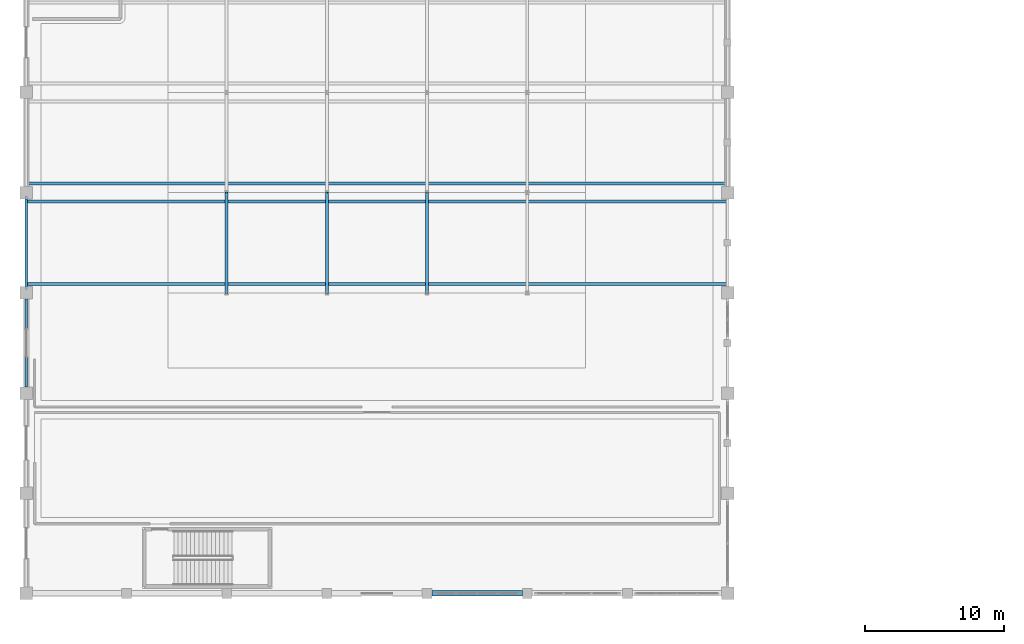
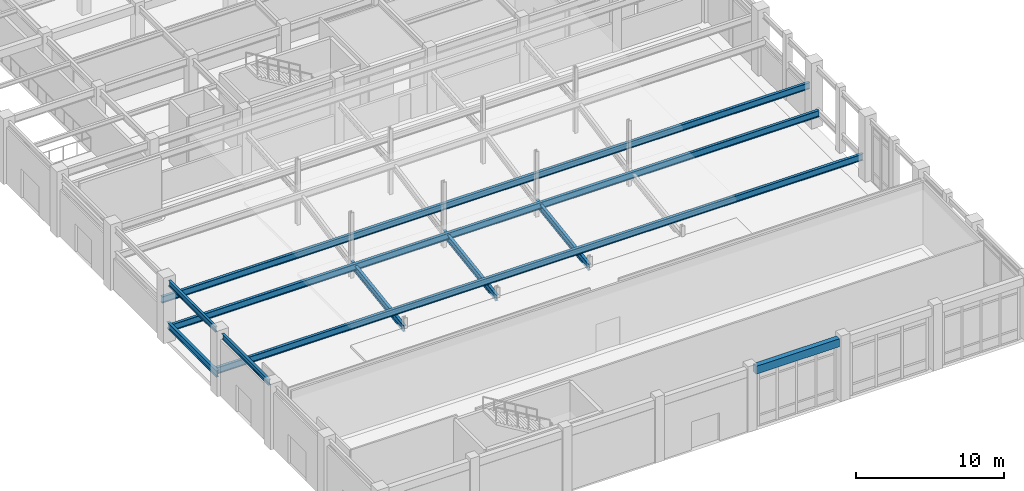
# One storey, part 15 of 102: 10 beams.
"""IFC4 building model written with IfcOpenShell, lengths in metres."""

from ifc_helpers import new_model, si_unit, direction, frame, origin, origin_2d, place, context, subcontext, project, spatial, rectangle, i_section, extrude, material, material_profile, profile_set, type_object, element, save


model = new_model("IFC4")

# Units and contexts
model_context = context("Model", 3, precision=1e-05, world=origin(), true_north=direction((0.0, 1.0)))
body_context = subcontext(model_context, "Body", "Model", "MODEL_VIEW")
ifc_project = project(units=[si_unit("LENGTHUNIT", "METRE"), si_unit("AREAUNIT", "SQUARE_METRE"), si_unit("VOLUMEUNIT", "CUBIC_METRE"), si_unit("PLANEANGLEUNIT", "RADIAN"), si_unit("MASSUNIT", "GRAM", prefix="KILO")], contexts=[model_context])

# Site, building, storey
site_placement = place(None, origin())
site = spatial("IfcSite", under=ifc_project, at=site_placement, CompositionType="ELEMENT")
building_placement = place(site_placement, origin())
building = spatial("IfcBuilding", under=site, at=building_placement, Name="Carrowvane Square Congress Hotel", CompositionType="ELEMENT")
storey_placement = place(building_placement, origin())
storey = spatial("IfcBuildingStorey", under=building, at=storey_placement, Name="L00", CompositionType="ELEMENT", Elevation=0.0)

# Beams
ifc_material_1 = material(Name="Steel S355", Category="steel")
ifc_material_profile_1 = material_profile(ifc_material_1, i_section(OverallWidth=0.19140625, OverallDepth=0.4599609375, WebThickness=0.010009765625, FlangeThickness=0.01611328125, FilletRadius=0.01025390625, at=origin_2d()), Name="UKB 457x191x82")
ifc_profile_set_1 = profile_set([ifc_material_profile_1], Name="Steel S355")
beam_type_1 = type_object("IfcBeamType", Name="BM-ST-UKB457", PredefinedType="SPANDREL", material=ifc_profile_set_1)
for number, where, z_axis, x_axis, name in (
    (1, (11.60009765625, 20.25, 4.8701171875), (0.0, 1.0, 0.0), (-1.0, 0.0, 0.0), "L01 girder 1/C-D"),
    (2, (11.60009765625, 27.449951171875, 4.8701171875), (0.0, 1.0, 0.0), (-1.0, 0.0, 0.0), "L01 girder 1/D-E"),
):
    element("IfcBeam", number, at=place(storey_placement, frame(where, z_axis=z_axis, x_axis=x_axis)), inside=storey, type_object=beam_type_1, Name=name, PredefinedType="SPANDREL", context=body_context, shape_type="SweptSolid", body=[
        extrude(i_section(OverallWidth=0.19140625, OverallDepth=0.4599609375, WebThickness=0.010009765625, FlangeThickness=0.01611328125, FilletRadius=0.01025390625, at=origin_2d()), origin(), (0.0, 0.0, 1.0), 6.300048828125),
    ])
ifc_material_2 = material(Name="Steel S355", Category="steel")
ifc_material_profile_2 = material_profile(ifc_material_2, i_section(OverallWidth=0.2099609375, OverallDepth=0.53662109375, WebThickness=0.0107421875, FlangeThickness=0.017333984375, FilletRadius=0.0126953125, at=origin_2d()), Name="UKB 533x210x101")
ifc_profile_set_2 = profile_set([ifc_material_profile_2], Name="Steel S355")
beam_type_2 = type_object("IfcBeamType", Name="BM-ST-UKB533", PredefinedType="USERDEFINED", material=ifc_profile_set_2)
beam_1_placement = place(storey_placement, frame((11.60009765625, 27.25, 1.33154296875), z_axis=(0.0, 1.0, 0.0), x_axis=(-1.0, 0.0, 0.0)))
element("IfcBeam", 3, at=beam_1_placement, inside=storey, type_object=beam_type_2, Name="L00 seating tier 1 W header girder", ObjectType="GIRDER", PredefinedType="USERDEFINED", context=body_context, shape_type="SweptSolid", body=[
    extrude(i_section(OverallWidth=0.2099609375, OverallDepth=0.53662109375, WebThickness=0.0107421875, FlangeThickness=0.017333984375, FilletRadius=0.0126953125, at=origin_2d()), origin(), (0.0, 0.0, 1.0), 6.699951171875),
])
for number, where, z_axis, x_axis, name in (
    (4, (11.60009765625, 27.64990234375, 1.33154296875), (1.0, 0.0, 0.0), (0.0, 1.0, 0.0), "L00 seating tier 1 bearer girder 1"),
    (5, (11.60009765625, 33.550048828125, 1.33154296875), (1.0, 0.0, 0.0), (0.0, 1.0, 0.0), "L00 seating tier 1 bearer girder 2"),
    (6, (11.60009765625, 34.85009765625, 2.83154296875), (1.0, 0.0, 0.0), (0.0, 1.0, 0.0), "L00 seating tier 2 bearer girder 1"),
):
    element("IfcBeam", number, at=place(storey_placement, frame(where, z_axis=z_axis, x_axis=x_axis)), inside=storey, type_object=beam_type_2, Name=name, ObjectType="GIRDER", PredefinedType="USERDEFINED", context=body_context, shape_type="SweptSolid", body=[
        extrude(i_section(OverallWidth=0.2099609375, OverallDepth=0.53662109375, WebThickness=0.0107421875, FlangeThickness=0.017333984375, FilletRadius=0.0126953125, at=origin_2d()), origin(), (0.0, 0.0, 1.0), 50.39990234375),
    ])
ifc_material_3 = material(Name="Steel S355", Category="steel")
ifc_material_profile_3 = material_profile(ifc_material_3, i_section(OverallWidth=0.2099609375, OverallDepth=0.53662109375, WebThickness=0.0107421875, FlangeThickness=0.017333984375, FilletRadius=0.0126953125, at=origin_2d()), Name="UKB 533x210x101")
ifc_profile_set_3 = profile_set([ifc_material_profile_3], Name="Steel S355")
beam_type_3 = type_object("IfcBeamType", Name="RK-ST-UKB533", PredefinedType="USERDEFINED", material=ifc_profile_set_3)
for number, where, z_axis, x_axis, name in (
    (7, (26.0, 27.0, 0.14990234375), (0.0, 0.989531883018, 0.144314422327), (-1.0, 0.0, 0.0), "L00 Plenary stalls raker beam 1.1"),
    (8, (33.199951171875, 27.0, 0.14990234375), (0.0, 0.989531883018, 0.144314422327), (-1.0, 0.0, 0.0), "L00 Plenary stalls raker beam 2.1"),
    (9, (40.39990234375, 27.0, 0.14990234375), (0.0, 0.989531883018, 0.144314422327), (-1.0, 0.0, 0.0), "L00 Plenary stalls raker beam 3.1"),
):
    element("IfcBeam", number, at=place(storey_placement, frame(where, z_axis=z_axis, x_axis=x_axis)), inside=storey, type_object=beam_type_3, Name=name, ObjectType="RAKER", PredefinedType="USERDEFINED", context=body_context, shape_type="SweptSolid", body=[
        extrude(i_section(OverallWidth=0.2099609375, OverallDepth=0.53662109375, WebThickness=0.0107421875, FlangeThickness=0.017333984375, FilletRadius=0.0126953125, at=origin_2d()), origin(), (0.0, 0.0, 1.0), 7.276123046875),
    ])
ifc_material_4 = material(Name="Concrete C35/45", Category="concrete")
ifc_material_profile_4 = material_profile(ifc_material_4, rectangle(XDim=0.39990234375, YDim=0.64990234375, at=origin_2d()), Name="RC 400x650")
ifc_profile_set_4 = profile_set([ifc_material_profile_4], Name="Concrete C35/45")
beam_type_4 = type_object("IfcBeamType", Name="SP-RC-400x650", PredefinedType="SPANDREL", material=ifc_profile_set_4)
beam_2_placement = place(storey_placement, frame((40.75, 5.39990234375, 4.77490234375), z_axis=(1.0, 0.0, 0.0), x_axis=(0.0, 1.0, 0.0)))
element("IfcBeam", 10, at=beam_2_placement, inside=storey, type_object=beam_type_4, Name="L01 girder A/5-6", PredefinedType="SPANDREL", context=body_context, shape_type="SweptSolid", body=[
    extrude(rectangle(XDim=0.39990234375, YDim=0.64990234375, at=origin_2d()), origin(), (0.0, 0.0, 1.0), 6.5),
])

save(model, "model.ifc")
